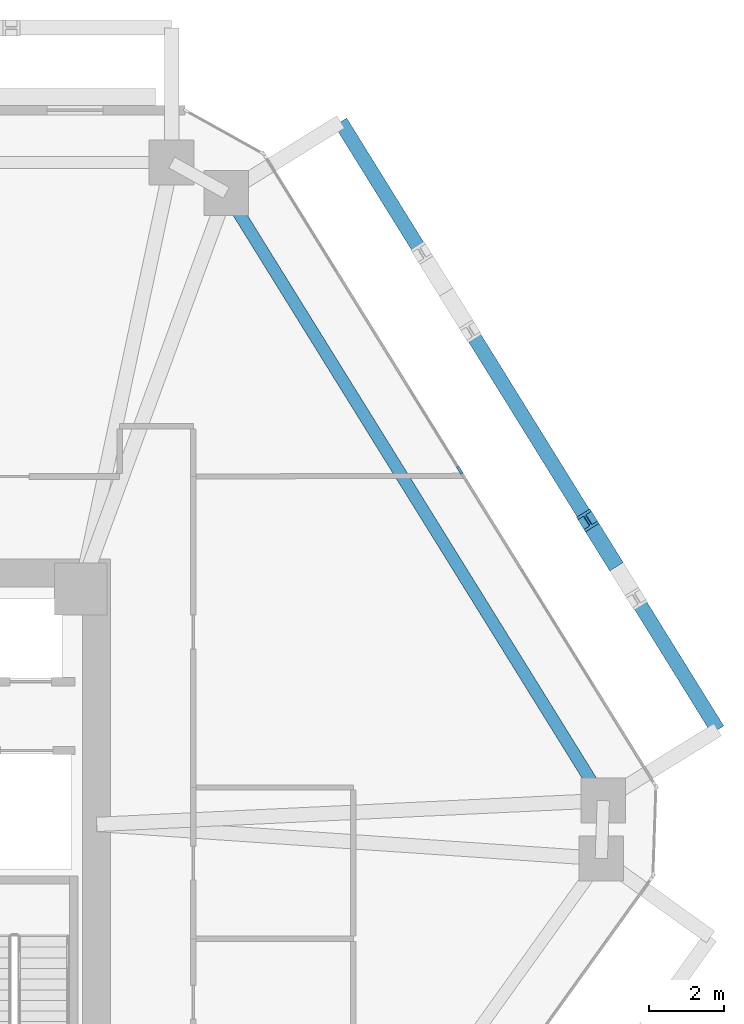
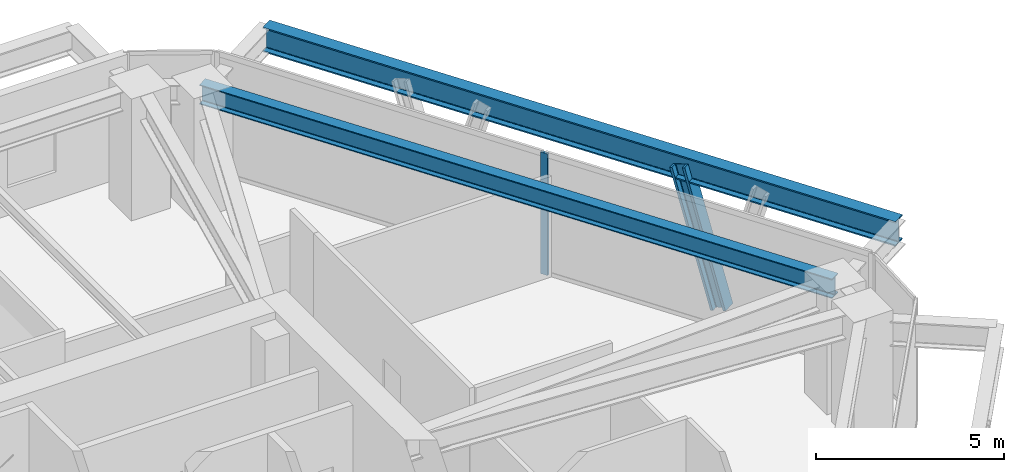
# One storey, part 6 of 14: 2 beams, 2 members, 1 element without a shape of its own.
"""IFC4 building model written with IfcOpenShell, lengths in metres."""

from ifc_helpers import new_model, si_unit, direction, frame, origin, origin_2d, place, context, subcontext, project, spatial, rectangle, i_section, extrude, source, transform, mapped, material, layer, layer_set, material_profile, profile_set, type_object, type_shapes, element, aggregate, save


model = new_model("IFC4")

# Units and contexts
model_context = context("Model", 3, precision=1e-05, world=origin(), true_north=direction((0.0, 1.0)))
body_context = subcontext(model_context, "Body", "Model", "MODEL_VIEW")
ifc_project = project(units=[si_unit("LENGTHUNIT", "METRE"), si_unit("AREAUNIT", "SQUARE_METRE"), si_unit("VOLUMEUNIT", "CUBIC_METRE"), si_unit("PLANEANGLEUNIT", "RADIAN"), si_unit("MASSUNIT", "GRAM", prefix="KILO")], contexts=[model_context])

# Site, building, storey
site_placement = place(None, origin())
site = spatial("IfcSite", under=ifc_project, at=site_placement, CompositionType="ELEMENT")
building_placement = place(site_placement, origin())
building = spatial("IfcBuilding", under=site, at=building_placement, Name="Durnholm Broadcast Tower", CompositionType="ELEMENT")
storey_placement = place(building_placement, frame((0.0, 0.0, 93.300048828125)))
storey = spatial("IfcBuildingStorey", under=building, at=storey_placement, Name="L24", CompositionType="ELEMENT", Elevation=93.300048828125)

# Beams
ifc_material_1 = material(Name="Steel ASTM A992 Grade 50", Category="steel")
ifc_material_profile_1 = material_profile(ifc_material_1, i_section(OverallWidth=0.3291015625, OverallDepth=0.635009765625, WebThickness=0.017822265625, FlangeThickness=0.031005859375, FilletRadius=0.02783203125, at=origin_2d()), Name="W24X162")
ifc_profile_set_1 = profile_set([ifc_material_profile_1], Name="Steel ASTM A992 Grade 50")
beam_type_1 = type_object("IfcBeamType", Name="STL-SP-W24X162", PredefinedType="SPANDREL", material=ifc_profile_set_1)
shared_shape_1 = source(origin(), body_context, "Body", "SweptSolid", [
    extrude(i_section(OverallWidth=0.3291015625, OverallDepth=0.635009765625, WebThickness=0.017822265625, FlangeThickness=0.031005859375, FilletRadius=0.02783203125, at=origin_2d()), origin(), (0.0, 0.0, 1.0), 19.139404296875),
])
type_shapes(beam_type_1, [shared_shape_1])
beam_1_placement = place(storey_placement, frame((13.692138671875, 18.4013671875, 3.62744140625), z_axis=(0.527111038734, -0.84979641847, 0.0), x_axis=(0.84979641847, 0.527111038734, 0.0)))
element("IfcBeam", 1, at=beam_1_placement, inside=storey, type_object=beam_type_1, Name="L24 perimeter spandrel girder 07", PredefinedType="SPANDREL", context=body_context, shape_type="MappedRepresentation", body=[
    mapped(shared_shape_1, transform((0.0, 0.0, 0.0), x_axis=(1.0, 0.0, 0.0), y_axis=(0.0, 1.0, 0.0), z_axis=(0.0, 0.0, 1.0), scale=1.0)),
])
ifc_material_profile_2 = material_profile(ifc_material_1, i_section(OverallWidth=0.385009765625, OverallDepth=0.802978515625, WebThickness=0.023681640625, FlangeThickness=0.0419921875, FilletRadius=0.032958984375, at=origin_2d()), Name="W30X261")
ifc_profile_set_2 = profile_set([ifc_material_profile_2], Name="Steel ASTM A992 Grade 50")
beam_type_2 = type_object("IfcBeamType", Name="BM-EXO-TIE", PredefinedType="USERDEFINED", material=ifc_profile_set_2)
shared_shape_2 = source(origin(), body_context, "Body", "SweptSolid", [
    extrude(i_section(OverallWidth=0.385009765625, OverallDepth=0.802978515625, WebThickness=0.023681640625, FlangeThickness=0.0419921875, FilletRadius=0.032958984375, at=origin_2d()), origin(), (0.0, 0.0, 1.0), 19.139404296875),
])
type_shapes(beam_type_2, [shared_shape_2])
beam_2_placement = place(storey_placement, frame((26.840087890625, 4.0341796875, 3.20849609375), z_axis=(-0.527111038734, 0.84979641847, 0.0), x_axis=(-0.84979641847, -0.527111038734, 0.0)))
element("IfcBeam", 2, at=beam_2_placement, inside=storey, type_object=beam_type_2, Name="L24 exoskeleton collector spandrel F3", PredefinedType="SPANDREL", context=body_context, shape_type="MappedRepresentation", body=[
    mapped(shared_shape_2, transform((0.0, 0.0, 0.0), x_axis=(1.0, 0.0, 0.0), y_axis=(0.0, 1.0, 0.0), z_axis=(0.0, 0.0, 1.0), scale=1.0)),
])

# Member
ifc_material_2 = material(Name="Steel ASTM A913 Grade 65", Category="steel")
ifc_material_profile_3 = material_profile(ifc_material_2, i_section(OverallWidth=0.424072265625, OverallDepth=0.47412109375, WebThickness=0.047607421875, FlangeThickness=0.0771484375, FilletRadius=0.030517578125, at=origin_2d()), Name="W14X426")
ifc_profile_set_3 = profile_set([ifc_material_profile_3], Name="Steel ASTM A913 Grade 65")
member_type_1 = type_object("IfcMemberType", Name="STL-DG-W14X426", PredefinedType="BRACE", material=ifc_profile_set_3)
shared_shape_3 = source(origin(), body_context, "Body", "SweptSolid", [
    extrude(i_section(OverallWidth=0.424072265625, OverallDepth=0.47412109375, WebThickness=0.047607421875, FlangeThickness=0.0771484375, FilletRadius=0.030517578125, at=origin_2d()), origin(), (0.0, 0.0, 1.0), 4.43505859375),
])
type_shapes(member_type_1, [shared_shape_3])
member_1_placement = place(storey_placement, frame((24.01513671875, 8.58837890625, -1.051513671875), z_axis=(-0.146647721823, 0.236375869935, 0.96053156835), x_axis=(-0.849750220063, -0.527185511469, 0.0)))
element("IfcMember", 3, at=member_1_placement, inside=storey, type_object=member_type_1, Name="L24 stand-off diagrid brace F3.D1.2", PredefinedType="BRACE", context=body_context, shape_type="MappedRepresentation", body=[
    mapped(shared_shape_3, transform((0.0, 0.0, 0.0), x_axis=(1.0, 0.0, 0.0), y_axis=(0.0, 1.0, 0.0), z_axis=(0.0, 0.0, 1.0), scale=1.0)),
])

# Curtain wall, member
ifc_material_3 = material(Name="Aluminium and Solar Control IGU", Category="aluminium")
ifc_layer = layer(ifc_material_3, 0.219970703125)
ifc_layer_set = layer_set([ifc_layer], Name="Aluminium and Solar Control IGU")
curtain_wall_type = type_object("IfcCurtainWallType", Name="CW-SYS-6", PredefinedType="NOTDEFINED", material=ifc_layer_set)
curtain_wall_placement = place(storey_placement, origin())
curtain_wall = element("IfcCurtainWall", 4, at=curtain_wall_placement, inside=storey, type_object=curtain_wall_type, Name="L24 curtain wall CW-AMENITY CW-L24-F06", PredefinedType="NOTDEFINED")
ifc_material_4 = material(Name="Aluminium 6063-T6", Category="aluminium")
ifc_material_profile_4 = material_profile(ifc_material_4, rectangle(XDim=0.074951171875, YDim=0.219970703125, at=origin_2d()), Name="CWM75X220")
ifc_profile_set_4 = profile_set([ifc_material_profile_4], Name="Aluminium 6063-T6")
member_type_2 = type_object("IfcMemberType", Name="CW-SYS-6-MUL", PredefinedType="MULLION", material=ifc_profile_set_4)
shared_shape_4 = source(origin(), body_context, "Body", "SweptSolid", [
    extrude(rectangle(XDim=0.074951171875, YDim=0.219970703125, at=origin_2d()), origin(), (0.0, 0.0, 1.0), 3.9599609375),
])
type_shapes(member_type_2, [shared_shape_4])
member_2_placement = place(storey_placement, frame((19.9423828125, 10.980712890625, 0.0), z_axis=(0.0, 0.0, 1.0), x_axis=(0.849799925229, 0.527105385176, 0.0)))
member_2 = element("IfcMember", 5, at=member_2_placement, type_object=member_type_2, Name="CW-AMENITY mullion 2", PredefinedType="MULLION", context=body_context, shape_type="MappedRepresentation", body=[
    mapped(shared_shape_4, transform((0.0, 0.0, 0.0), x_axis=(1.0, 0.0, 0.0), y_axis=(0.0, 1.0, 0.0), z_axis=(0.0, 0.0, 1.0), scale=1.0)),
])
aggregate(curtain_wall, [member_2])

save(model, "model.ifc")
